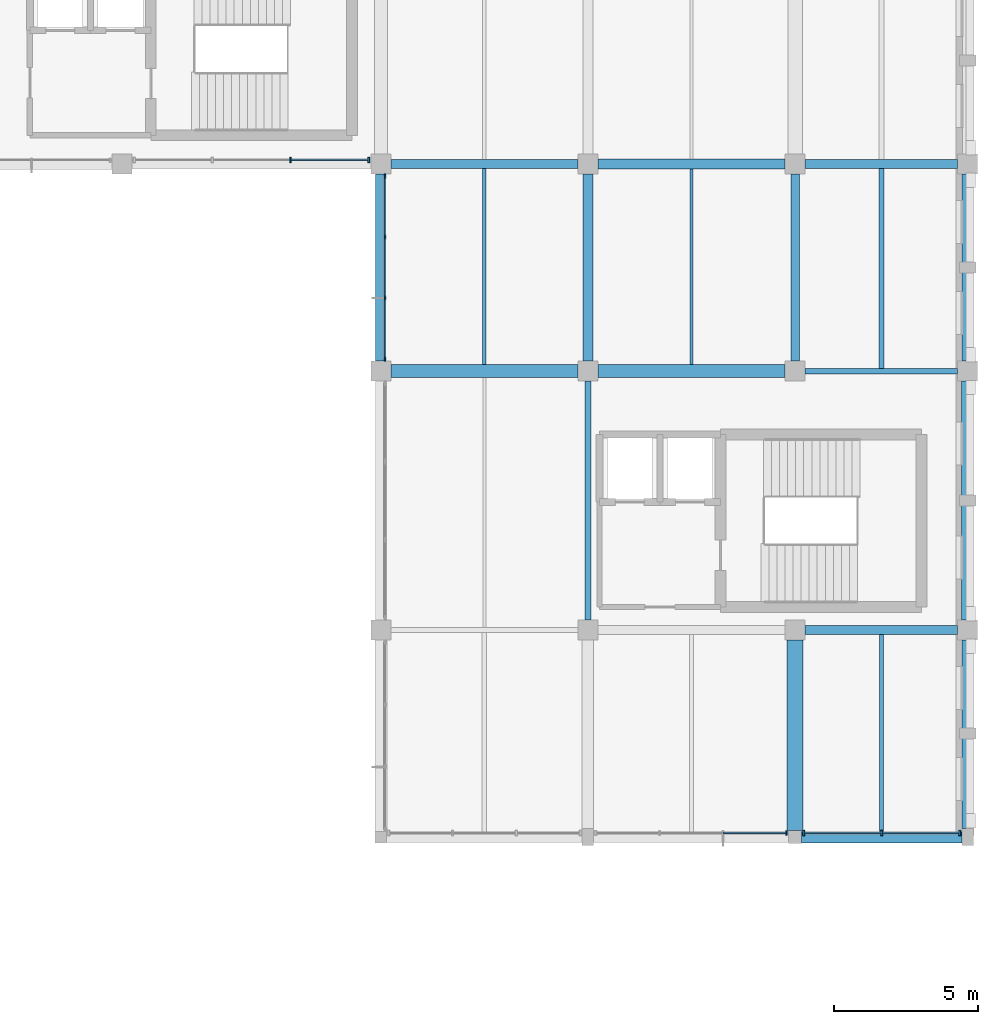
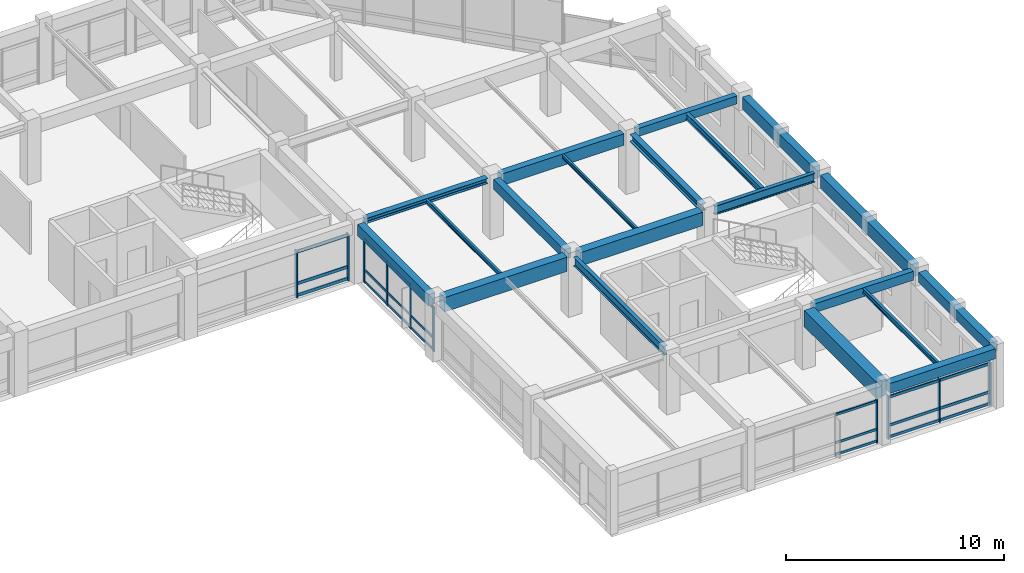
# One storey, part 28 of 52: 31 members, 20 beams, 4 elements without a shape of their own.
"""IFC4 building model written with IfcOpenShell, lengths in metres."""

from ifc_helpers import new_model, si_unit, direction, frame, origin, origin_2d, place, context, subcontext, project, spatial, rectangle, i_section, extrude, material, material_profile, profile_set, type_object, element, aggregate, save


model = new_model("IFC4")

# Units and contexts
model_context = context("Model", 3, precision=1e-05, world=origin(), true_north=direction((0.0, 1.0)))
body_context = subcontext(model_context, "Body", "Model", "MODEL_VIEW")
ifc_project = project(units=[si_unit("LENGTHUNIT", "METRE"), si_unit("AREAUNIT", "SQUARE_METRE"), si_unit("VOLUMEUNIT", "CUBIC_METRE"), si_unit("PLANEANGLEUNIT", "RADIAN"), si_unit("MASSUNIT", "GRAM", prefix="KILO")], contexts=[model_context])

# Site, building, storey
site_placement = place(None, origin())
site = spatial("IfcSite", under=ifc_project, at=site_placement, CompositionType="ELEMENT")
building_placement = place(site_placement, origin())
building = spatial("IfcBuilding", under=site, at=building_placement, Name="Clarverna Civic Hall", CompositionType="ELEMENT")
storey_placement = place(building_placement, frame((0.0, 0.0, 16.800048828125)))
storey = spatial("IfcBuildingStorey", under=building, at=storey_placement, Name="L04", CompositionType="ELEMENT", Elevation=16.800048828125)

# Beams
ifc_material_1 = material(Name="Concrete C35/45", Category="concrete")
ifc_material_profile_1 = material_profile(ifc_material_1, rectangle(XDim=0.300048828125, YDim=0.5, at=origin_2d()), Name="RC 300x500")
ifc_profile_set_1 = profile_set([ifc_material_profile_1], Name="Concrete C35/45")
beam_type_1 = type_object("IfcBeamType", Name="B-RC12", PredefinedType="BEAM", material=ifc_profile_set_1)
beam_1_placement = place(storey_placement, frame((162.35009765625, 78.800048828125, 3.070068359375), z_axis=(1.0, 0.0, 0.0), x_axis=(0.0, 1.0, 0.0)))
element("IfcBeam", 1, at=beam_1_placement, inside=storey, type_object=beam_type_1, Name="B-RC12-047", PredefinedType="BEAM", context=body_context, shape_type="SweptSolid", body=[
    extrude(rectangle(XDim=0.300048828125, YDim=0.5, at=origin_2d()), origin(), (0.0, 0.0, 1.0), 5.2998046875),
])
ifc_material_profile_2 = material_profile(ifc_material_1, rectangle(XDim=0.550048828125, YDim=0.89990234375, at=origin_2d()), Name="RC 550x900")
ifc_profile_set_2 = profile_set([ifc_material_profile_2], Name="Concrete C35/45")
beam_type_2 = type_object("IfcBeamType", Name="B-RC13", PredefinedType="BEAM", material=ifc_profile_set_2)
beam_2_placement = place(storey_placement, frame((162.0, 71.824951171875, 2.869873046875), z_axis=(0.0, 1.0, 0.0), x_axis=(-1.0, 0.0, 0.0)))
element("IfcBeam", 2, at=beam_2_placement, inside=storey, type_object=beam_type_2, Name="B-RC13-033", PredefinedType="BEAM", context=body_context, shape_type="SweptSolid", body=[
    extrude(rectangle(XDim=0.550048828125, YDim=0.89990234375, at=origin_2d()), origin(), (0.0, 0.0, 1.0), 6.625),
])
ifc_material_profile_3 = material_profile(ifc_material_1, rectangle(XDim=0.35009765625, YDim=0.64990234375, at=origin_2d()), Name="RC 350x650")
ifc_profile_set_3 = profile_set([ifc_material_profile_3], Name="Concrete C35/45")
beam_type_3 = type_object("IfcBeamType", Name="B-RC17", PredefinedType="BEAM", material=ifc_profile_set_3)
beam_3_placement = place(storey_placement, frame((155.14990234375, 95.0, 2.994873046875), z_axis=(1.0, 0.0, 0.0), x_axis=(0.0, 1.0, 0.0)))
element("IfcBeam", 3, at=beam_3_placement, inside=storey, type_object=beam_type_3, Name="B-RC17-034", PredefinedType="BEAM", context=body_context, shape_type="SweptSolid", body=[
    extrude(rectangle(XDim=0.35009765625, YDim=0.64990234375, at=origin_2d()), origin(), (0.0, 0.0, 1.0), 6.5),
])
ifc_material_profile_4 = material_profile(ifc_material_1, rectangle(XDim=0.300048828125, YDim=0.449951171875, at=origin_2d()), Name="RC 300x450")
ifc_profile_set_4 = profile_set([ifc_material_profile_4], Name="Concrete C35/45")
beam_type_4 = type_object("IfcBeamType", Name="B-RC18", PredefinedType="BEAM", material=ifc_profile_set_4)
beam_4_placement = place(storey_placement, frame((162.35009765625, 95.0, 3.094970703125), z_axis=(1.0, 0.0, 0.0), x_axis=(0.0, 1.0, 0.0)))
element("IfcBeam", 4, at=beam_4_placement, inside=storey, type_object=beam_type_4, Name="B-RC18-041", PredefinedType="BEAM", context=body_context, shape_type="SweptSolid", body=[
    extrude(rectangle(XDim=0.300048828125, YDim=0.449951171875, at=origin_2d()), origin(), (0.0, 0.0, 1.0), 5.2998046875),
])
ifc_material_profile_5 = material_profile(ifc_material_1, rectangle(XDim=0.449951171875, YDim=0.800048828125, at=origin_2d()), Name="RC 450x800")
ifc_profile_set_5 = profile_set([ifc_material_profile_5], Name="Concrete C35/45")
beam_type_5 = type_object("IfcBeamType", Name="B-RC2", PredefinedType="BEAM", material=ifc_profile_set_5)
beam_5_placement = place(storey_placement, frame((147.949951171875, 87.800048828125, 2.919921875), z_axis=(1.0, 0.0, 0.0), x_axis=(0.0, 1.0, 0.0)))
element("IfcBeam", 5, at=beam_5_placement, inside=storey, type_object=beam_type_5, Name="B-RC2-028", PredefinedType="BEAM", context=body_context, shape_type="SweptSolid", body=[
    extrude(rectangle(XDim=0.449951171875, YDim=0.800048828125, at=origin_2d()), origin(), (0.0, 0.0, 1.0), 6.5),
])
ifc_material_profile_6 = material_profile(ifc_material_1, rectangle(XDim=0.449951171875, YDim=0.75, at=origin_2d()), Name="RC 450x750")
ifc_profile_set_6 = profile_set([ifc_material_profile_6], Name="Concrete C35/45")
beam_type_6 = type_object("IfcBeamType", Name="B-RC3", PredefinedType="BEAM", material=ifc_profile_set_6)
beam_6_placement = place(storey_placement, frame((155.14990234375, 87.800048828125, 2.945068359375), z_axis=(1.0, 0.0, 0.0), x_axis=(0.0, 1.0, 0.0)))
element("IfcBeam", 6, at=beam_6_placement, inside=storey, type_object=beam_type_6, Name="B-RC3-038", PredefinedType="BEAM", context=body_context, shape_type="SweptSolid", body=[
    extrude(rectangle(XDim=0.449951171875, YDim=0.75, at=origin_2d()), origin(), (0.0, 0.0, 1.0), 6.5),
])
ifc_material_profile_7 = material_profile(ifc_material_1, rectangle(XDim=0.35009765625, YDim=0.550048828125, at=origin_2d()), Name="RC 350x550")
ifc_profile_set_7 = profile_set([ifc_material_profile_7], Name="Concrete C35/45")
beam_type_7 = type_object("IfcBeamType", Name="B-RC9", PredefinedType="BEAM", material=ifc_profile_set_7)
beam_7_placement = place(storey_placement, frame((154.800048828125, 88.14990234375, 3.044921875), z_axis=(0.0, 1.0, 0.0), x_axis=(-1.0, 0.0, 0.0)))
element("IfcBeam", 7, at=beam_7_placement, inside=storey, type_object=beam_type_7, Name="B-RC9-045", PredefinedType="BEAM", context=body_context, shape_type="SweptSolid", body=[
    extrude(rectangle(XDim=0.35009765625, YDim=0.550048828125, at=origin_2d()), origin(), (0.0, 0.0, 1.0), 6.5),
])
ifc_material_profile_8 = material_profile(ifc_material_1, rectangle(XDim=0.419921875, YDim=0.719970703125, at=origin_2d()), Name="RC 420x720")
ifc_profile_set_8 = profile_set([ifc_material_profile_8], Name="Concrete C35/45")
beam_type_8 = type_object("IfcBeamType", Name="B-SP1", PredefinedType="SPANDREL", material=ifc_profile_set_8)
beam_8_placement = place(storey_placement, frame((168.0, 79.14990234375, 2.9599609375), z_axis=(0.0, 1.0, 0.0), x_axis=(-1.0, 0.0, 0.0)))
element("IfcBeam", 8, at=beam_8_placement, inside=storey, type_object=beam_type_8, Name="B-SP1-142", PredefinedType="SPANDREL", context=body_context, shape_type="SweptSolid", body=[
    extrude(rectangle(XDim=0.419921875, YDim=0.719970703125, at=origin_2d()), origin(), (0.0, 0.0, 1.0), 8.300048828125),
])
ifc_material_profile_9 = material_profile(ifc_material_1, rectangle(XDim=0.3798828125, YDim=0.679931640625, at=origin_2d()), Name="RC 380x680")
ifc_profile_set_9 = profile_set([ifc_material_profile_9], Name="Concrete C35/45")
beam_type_9 = type_object("IfcBeamType", Name="B-SP2", PredefinedType="SPANDREL", material=ifc_profile_set_9)
beam_9_placement = place(storey_placement, frame((168.0, 88.14990234375, 2.97998046875), z_axis=(0.0, 1.0, 0.0), x_axis=(-1.0, 0.0, 0.0)))
element("IfcBeam", 9, at=beam_9_placement, inside=storey, type_object=beam_type_9, Name="B-SP2-149", PredefinedType="SPANDREL", context=body_context, shape_type="SweptSolid", body=[
    extrude(rectangle(XDim=0.3798828125, YDim=0.679931640625, at=origin_2d()), origin(), (0.0, 0.0, 1.0), 6.5),
])
ifc_material_profile_10 = material_profile(ifc_material_1, rectangle(XDim=0.360107421875, YDim=0.6201171875, at=origin_2d()), Name="RC 360x620")
ifc_profile_set_10 = profile_set([ifc_material_profile_10], Name="Concrete C35/45")
beam_type_10 = type_object("IfcBeamType", Name="B-SP3", PredefinedType="SPANDREL", material=ifc_profile_set_10)
beam_10_placement = place(storey_placement, frame((147.60009765625, 88.14990234375, 3.010009765625), z_axis=(0.0, 1.0, 0.0), x_axis=(-1.0, 0.0, 0.0)))
element("IfcBeam", 10, at=beam_10_placement, inside=storey, type_object=beam_type_10, Name="B-SP3-147", PredefinedType="SPANDREL", context=body_context, shape_type="SweptSolid", body=[
    extrude(rectangle(XDim=0.360107421875, YDim=0.6201171875, at=origin_2d()), origin(), (0.0, 0.0, 1.0), 6.5),
])
ifc_material_profile_11 = material_profile(ifc_material_1, rectangle(XDim=0.39990234375, YDim=0.56005859375, at=origin_2d()), Name="RC 400x560")
ifc_profile_set_11 = profile_set([ifc_material_profile_11], Name="Concrete C35/45")
beam_type_11 = type_object("IfcBeamType", Name="B-SP4", PredefinedType="SPANDREL", material=ifc_profile_set_11)
beam_11_placement = place(storey_placement, frame((162.22509765625, 71.60009765625, 3.0400390625), z_axis=(1.0, 0.0, 0.0), x_axis=(0.0, 1.0, 0.0)))
element("IfcBeam", 11, at=beam_11_placement, inside=storey, type_object=beam_type_11, Name="B-SP4-130", PredefinedType="SPANDREL", context=body_context, shape_type="SweptSolid", body=[
    extrude(rectangle(XDim=0.39990234375, YDim=0.56005859375, at=origin_2d()), origin(), (0.0, 0.0, 1.0), 5.574951171875),
])
beam_12_placement = place(storey_placement, frame((168.0, 71.89990234375, 3.0400390625), z_axis=(0.0, 1.0, 0.0), x_axis=(-1.0, 0.0, 0.0)))
element("IfcBeam", 12, at=beam_12_placement, inside=storey, type_object=beam_type_11, Name="B-SP4-147", PredefinedType="SPANDREL", context=body_context, shape_type="SweptSolid", body=[
    extrude(rectangle(XDim=0.39990234375, YDim=0.56005859375, at=origin_2d()), origin(), (0.0, 0.0, 1.0), 6.550048828125),
])
ifc_material_2 = material(Name="Steel S355", Category="steel")
ifc_material_profile_12 = material_profile(ifc_material_2, i_section(OverallWidth=0.300048828125, OverallDepth=0.2900390625, WebThickness=0.008544921875, FlangeThickness=0.013916015625, FilletRadius=0.027099609375, at=origin_2d()), Name="HEA 300")
ifc_profile_set_12 = profile_set([ifc_material_profile_12], Name="Steel S355")
beam_type_12 = type_object("IfcBeamType", Name="B-ST10", PredefinedType="BEAM", material=ifc_profile_set_12)
beam_13_placement = place(storey_placement, frame((147.949951171875, 95.0, 3.175048828125), z_axis=(1.0, 0.0, 0.0), x_axis=(0.0, 1.0, 0.0)))
element("IfcBeam", 13, at=beam_13_placement, inside=storey, type_object=beam_type_12, Name="B-ST10-016", PredefinedType="BEAM", context=body_context, shape_type="SweptSolid", body=[
    extrude(i_section(OverallWidth=0.300048828125, OverallDepth=0.2900390625, WebThickness=0.008544921875, FlangeThickness=0.013916015625, FilletRadius=0.027099609375, at=origin_2d()), origin(), (0.0, 0.0, 1.0), 6.5),
])
ifc_material_profile_13 = material_profile(ifc_material_2, i_section(OverallWidth=0.199951171875, OverallDepth=0.5, WebThickness=0.01025390625, FlangeThickness=0.01611328125, FilletRadius=0.02099609375, at=origin_2d()), Name="IPE 500")
ifc_profile_set_13 = profile_set([ifc_material_profile_13], Name="Steel S355")
beam_type_13 = type_object("IfcBeamType", Name="B-ST12", PredefinedType="BEAM", material=ifc_profile_set_13)
beam_14_placement = place(storey_placement, frame((162.35009765625, 87.800048828125, 3.070068359375), z_axis=(1.0, 0.0, 0.0), x_axis=(0.0, 1.0, 0.0)))
element("IfcBeam", 14, at=beam_14_placement, inside=storey, type_object=beam_type_13, Name="B-ST12-018", PredefinedType="BEAM", context=body_context, shape_type="SweptSolid", body=[
    extrude(i_section(OverallWidth=0.199951171875, OverallDepth=0.5, WebThickness=0.01025390625, FlangeThickness=0.01611328125, FilletRadius=0.02099609375, at=origin_2d()), origin(), (0.0, 0.0, 1.0), 5.2998046875),
])
beam_15_placement = place(storey_placement, frame((154.800048828125, 79.14990234375, 3.070068359375), z_axis=(0.0, 1.0, 0.0), x_axis=(-1.0, 0.0, 0.0)))
element("IfcBeam", 15, at=beam_15_placement, inside=storey, type_object=beam_type_13, Name="B-ST12-020", PredefinedType="BEAM", context=body_context, shape_type="SweptSolid", body=[
    extrude(i_section(OverallWidth=0.199951171875, OverallDepth=0.5, WebThickness=0.01025390625, FlangeThickness=0.01611328125, FilletRadius=0.02099609375, at=origin_2d()), origin(), (0.0, 0.0, 1.0), 8.300048828125),
])
ifc_material_profile_14 = material_profile(ifc_material_2, i_section(OverallWidth=0.300048828125, OverallDepth=0.39990234375, WebThickness=0.013427734375, FlangeThickness=0.02392578125, FilletRadius=0.027099609375, at=origin_2d()), Name="HEB 400")
ifc_profile_set_14 = profile_set([ifc_material_profile_14], Name="Steel S355")
beam_type_14 = type_object("IfcBeamType", Name="B-ST4", PredefinedType="BEAM", material=ifc_profile_set_14)
beam_16_placement = place(storey_placement, frame((162.0, 88.14990234375, 3.119873046875), z_axis=(0.0, 1.0, 0.0), x_axis=(-1.0, 0.0, 0.0)))
element("IfcBeam", 16, at=beam_16_placement, inside=storey, type_object=beam_type_14, Name="B-ST4-019", PredefinedType="BEAM", context=body_context, shape_type="SweptSolid", body=[
    extrude(i_section(OverallWidth=0.300048828125, OverallDepth=0.39990234375, WebThickness=0.013427734375, FlangeThickness=0.02392578125, FilletRadius=0.027099609375, at=origin_2d()), origin(), (0.0, 0.0, 1.0), 6.5),
])

# Curtain wall, members
ifc_material_3 = material(Name="Anodised Bronze Architectural Aluminium", Category="aluminium")
curtain_wall_type = type_object("IfcCurtainWallType", Name="CW-01", PredefinedType="USERDEFINED", material=ifc_material_3)
curtain_wall_1_placement = place(storey_placement, origin())
curtain_wall_1 = element("IfcCurtainWall", 17, at=curtain_wall_1_placement, inside=storey, type_object=curtain_wall_type, Name="CW-01-091", ObjectType="UNITISED CURTAIN WALL", PredefinedType="USERDEFINED")
ifc_material_profile_15 = material_profile(ifc_material_3, rectangle(XDim=0.06005859375, YDim=0.179931640625, at=origin_2d()), Name="BRONZE 60x180")
ifc_profile_set_15 = profile_set([ifc_material_profile_15], Name="Anodised Bronze Architectural Aluminium")
member_type_1 = type_object("IfcMemberType", Name="CWM-01", PredefinedType="MULLION", material=ifc_profile_set_15)
member_1_placement = place(storey_placement, frame((167.72705078125, 71.739990234375, 0.0), z_axis=(0.0, 0.0, 1.0), x_axis=(1.0, 0.0, 0.0)))
member_1 = element("IfcMember", 18, at=member_1_placement, type_object=member_type_1, Name="CWM-01-167", PredefinedType="MULLION", context=body_context, shape_type="SweptSolid", body=[
    extrude(rectangle(XDim=0.06005859375, YDim=0.179931640625, at=origin_2d()), origin(), (0.0, 0.0, 1.0), 2.419921875),
])
member_2_placement = place(storey_placement, frame((165.012451171875, 71.739990234375, 0.0), z_axis=(0.0, 0.0, 1.0), x_axis=(1.0, 0.0, 0.0)))
member_2 = element("IfcMember", 19, at=member_2_placement, type_object=member_type_1, Name="CWM-01-168", PredefinedType="MULLION", context=body_context, shape_type="SweptSolid", body=[
    extrude(rectangle(XDim=0.06005859375, YDim=0.179931640625, at=origin_2d()), origin(), (0.0, 0.0, 1.0), 2.419921875),
])
member_3_placement = place(storey_placement, frame((162.298095703125, 71.739990234375, 0.0), z_axis=(0.0, 0.0, 1.0), x_axis=(1.0, 0.0, 0.0)))
member_3 = element("IfcMember", 20, at=member_3_placement, type_object=member_type_1, Name="CWM-01-169", PredefinedType="MULLION", context=body_context, shape_type="SweptSolid", body=[
    extrude(rectangle(XDim=0.06005859375, YDim=0.179931640625, at=origin_2d()), origin(), (0.0, 0.0, 1.0), 2.419921875),
])

# Curtain wall, member
curtain_wall_2_placement = place(storey_placement, origin())
curtain_wall_2 = element("IfcCurtainWall", 21, at=curtain_wall_2_placement, inside=storey, type_object=curtain_wall_type, Name="CW-01-092", ObjectType="UNITISED CURTAIN WALL", PredefinedType="USERDEFINED")
ifc_material_profile_16 = material_profile(ifc_material_3, rectangle(XDim=0.06005859375, YDim=0.159912109375, at=origin_2d()), Name="BRONZE 60x160")
ifc_profile_set_16 = profile_set([ifc_material_profile_16], Name="Anodised Bronze Architectural Aluminium")
member_type_2 = type_object("IfcMemberType", Name="CWM-02", PredefinedType="MULLION", material=ifc_profile_set_16)
member_4_placement = place(storey_placement, frame((161.701904296875, 71.739990234375, 0.0), z_axis=(0.0, 0.0, 1.0), x_axis=(1.0, 0.0, 0.0)))
member_4 = element("IfcMember", 22, at=member_4_placement, type_object=member_type_2, Name="CWM-02-195", PredefinedType="MULLION", context=body_context, shape_type="SweptSolid", body=[
    extrude(rectangle(XDim=0.06005859375, YDim=0.159912109375, at=origin_2d()), origin(), (0.0, 0.0, 1.0), 2.419921875),
])

# Curtain wall, members
curtain_wall_3_placement = place(storey_placement, origin())
curtain_wall_3 = element("IfcCurtainWall", 23, at=curtain_wall_3_placement, inside=storey, type_object=curtain_wall_type, Name="CW-01-096", ObjectType="UNITISED CURTAIN WALL", PredefinedType="USERDEFINED")
member_5_placement = place(storey_placement, frame((147.739990234375, 88.222900390625, 0.0), z_axis=(0.0, 0.0, 1.0), x_axis=(1.0, 0.0, 0.0)))
member_5 = element("IfcMember", 24, at=member_5_placement, type_object=member_type_2, Name="CWM-02-199", PredefinedType="MULLION", context=body_context, shape_type="SweptSolid", body=[
    extrude(rectangle(XDim=0.06005859375, YDim=0.159912109375, at=origin_2d()), origin(), (0.0, 0.0, 1.0), 2.52001953125),
])
member_6_placement = place(storey_placement, frame((147.739990234375, 90.341064453125, 0.0), z_axis=(0.0, 0.0, 1.0), x_axis=(1.0, 0.0, 0.0)))
member_6 = element("IfcMember", 25, at=member_6_placement, type_object=member_type_2, Name="CWM-02-200", PredefinedType="MULLION", context=body_context, shape_type="SweptSolid", body=[
    extrude(rectangle(XDim=0.06005859375, YDim=0.159912109375, at=origin_2d()), origin(), (0.0, 0.0, 1.0), 2.52001953125),
])
member_7_placement = place(storey_placement, frame((147.739990234375, 92.458984375, 0.0), z_axis=(0.0, 0.0, 1.0), x_axis=(1.0, 0.0, 0.0)))
member_7 = element("IfcMember", 26, at=member_7_placement, type_object=member_type_2, Name="CWM-02-201", PredefinedType="MULLION", context=body_context, shape_type="SweptSolid", body=[
    extrude(rectangle(XDim=0.06005859375, YDim=0.159912109375, at=origin_2d()), origin(), (0.0, 0.0, 1.0), 2.52001953125),
])
member_8_placement = place(storey_placement, frame((147.739990234375, 94.576904296875, 0.0), z_axis=(0.0, 0.0, 1.0), x_axis=(1.0, 0.0, 0.0)))
member_8 = element("IfcMember", 27, at=member_8_placement, type_object=member_type_2, Name="CWM-02-202", PredefinedType="MULLION", context=body_context, shape_type="SweptSolid", body=[
    extrude(rectangle(XDim=0.06005859375, YDim=0.159912109375, at=origin_2d()), origin(), (0.0, 0.0, 1.0), 2.52001953125),
])

curtain_wall_4_placement = place(storey_placement, origin())
curtain_wall_4 = element("IfcCurtainWall", 28, at=curtain_wall_4_placement, inside=storey, type_object=curtain_wall_type, Name="CW-01-097", ObjectType="UNITISED CURTAIN WALL", PredefinedType="USERDEFINED")
ifc_material_profile_17 = material_profile(ifc_material_3, rectangle(XDim=0.06494140625, YDim=0.199951171875, at=origin_2d()), Name="BRONZE 65x200")
ifc_profile_set_17 = profile_set([ifc_material_profile_17], Name="Anodised Bronze Architectural Aluminium")
member_type_3 = type_object("IfcMemberType", Name="CWM-03", PredefinedType="MULLION", material=ifc_profile_set_17)
member_9_placement = place(storey_placement, frame((147.177001953125, 95.139892578125, 0.0), z_axis=(0.0, 0.0, 1.0), x_axis=(1.0, 0.0, 0.0)))
member_9 = element("IfcMember", 29, at=member_9_placement, type_object=member_type_3, Name="CWM-03-176", PredefinedType="MULLION", context=body_context, shape_type="SweptSolid", body=[
    extrude(rectangle(XDim=0.06494140625, YDim=0.199951171875, at=origin_2d()), origin(), (0.0, 0.0, 1.0), 2.619873046875),
])
member_10_placement = place(storey_placement, frame((144.458984375, 95.139892578125, 0.0), z_axis=(0.0, 0.0, 1.0), x_axis=(1.0, 0.0, 0.0)))
member_10 = element("IfcMember", 30, at=member_10_placement, type_object=member_type_3, Name="CWM-03-177", PredefinedType="MULLION", context=body_context, shape_type="SweptSolid", body=[
    extrude(rectangle(XDim=0.06494140625, YDim=0.199951171875, at=origin_2d()), origin(), (0.0, 0.0, 1.0), 2.619873046875),
])

# Member
ifc_material_profile_18 = material_profile(ifc_material_3, rectangle(XDim=0.06005859375, YDim=0.14990234375, at=origin_2d()), Name="BRONZE 60x150")
ifc_profile_set_18 = profile_set([ifc_material_profile_18], Name="Anodised Bronze Architectural Aluminium")
member_type_4 = type_object("IfcMemberType", Name="CWT-01", PredefinedType="USERDEFINED", material=ifc_profile_set_18)
member_11_placement = place(storey_placement, frame((167.7119140625, 71.739990234375, 0.094970703125), z_axis=(-1.0, 0.0, 0.0), x_axis=(0.0, -1.0, 0.0)))
member_11 = element("IfcMember", 31, at=member_11_placement, type_object=member_type_4, Name="CWT-01-355", ObjectType="TRANSOM", PredefinedType="USERDEFINED", context=body_context, shape_type="SweptSolid", body=[
    extrude(rectangle(XDim=0.06005859375, YDim=0.14990234375, at=origin_2d()), origin(), (0.0, 0.0, 1.0), 2.684326171875),
])

member_12_placement = place(storey_placement, frame((167.7119140625, 71.739990234375, 0.75), z_axis=(-1.0, 0.0, 0.0), x_axis=(0.0, -1.0, 0.0)))
member_12 = element("IfcMember", 32, at=member_12_placement, type_object=member_type_4, Name="CWT-01-356", ObjectType="TRANSOM", PredefinedType="USERDEFINED", context=body_context, shape_type="SweptSolid", body=[
    extrude(rectangle(XDim=0.06005859375, YDim=0.14990234375, at=origin_2d()), origin(), (0.0, 0.0, 1.0), 2.684326171875),
])

member_13_placement = place(storey_placement, frame((167.7119140625, 71.739990234375, 2.324951171875), z_axis=(-1.0, 0.0, 0.0), x_axis=(0.0, -1.0, 0.0)))
member_13 = element("IfcMember", 33, at=member_13_placement, type_object=member_type_4, Name="CWT-01-357", ObjectType="TRANSOM", PredefinedType="USERDEFINED", context=body_context, shape_type="SweptSolid", body=[
    extrude(rectangle(XDim=0.06005859375, YDim=0.14990234375, at=origin_2d()), origin(), (0.0, 0.0, 1.0), 2.684326171875),
])

member_14_placement = place(storey_placement, frame((164.99755859375, 71.739990234375, 0.094970703125), z_axis=(-1.0, 0.0, 0.0), x_axis=(0.0, -1.0, 0.0)))
member_14 = element("IfcMember", 34, at=member_14_placement, type_object=member_type_4, Name="CWT-01-358", ObjectType="TRANSOM", PredefinedType="USERDEFINED", context=body_context, shape_type="SweptSolid", body=[
    extrude(rectangle(XDim=0.06005859375, YDim=0.14990234375, at=origin_2d()), origin(), (0.0, 0.0, 1.0), 2.6845703125),
])

member_15_placement = place(storey_placement, frame((164.99755859375, 71.739990234375, 0.75), z_axis=(-1.0, 0.0, 0.0), x_axis=(0.0, -1.0, 0.0)))
member_15 = element("IfcMember", 35, at=member_15_placement, type_object=member_type_4, Name="CWT-01-359", ObjectType="TRANSOM", PredefinedType="USERDEFINED", context=body_context, shape_type="SweptSolid", body=[
    extrude(rectangle(XDim=0.06005859375, YDim=0.14990234375, at=origin_2d()), origin(), (0.0, 0.0, 1.0), 2.6845703125),
])

member_16_placement = place(storey_placement, frame((164.99755859375, 71.739990234375, 2.324951171875), z_axis=(-1.0, 0.0, 0.0), x_axis=(0.0, -1.0, 0.0)))
member_16 = element("IfcMember", 36, at=member_16_placement, type_object=member_type_4, Name="CWT-01-360", ObjectType="TRANSOM", PredefinedType="USERDEFINED", context=body_context, shape_type="SweptSolid", body=[
    extrude(rectangle(XDim=0.06005859375, YDim=0.14990234375, at=origin_2d()), origin(), (0.0, 0.0, 1.0), 2.6845703125),
])

aggregate(curtain_wall_1, [member_1, member_2, member_3, member_11, member_12, member_13, member_14, member_15, member_16])

ifc_material_profile_19 = material_profile(ifc_material_3, rectangle(XDim=0.06005859375, YDim=0.1298828125, at=origin_2d()), Name="BRONZE 60x130")
ifc_profile_set_19 = profile_set([ifc_material_profile_19], Name="Anodised Bronze Architectural Aluminium")
member_type_5 = type_object("IfcMemberType", Name="CWT-02", PredefinedType="USERDEFINED", material=ifc_profile_set_19)
member_17_placement = place(storey_placement, frame((161.68701171875, 71.739990234375, 0.094970703125), z_axis=(-1.0, 0.0, 0.0), x_axis=(0.0, -1.0, 0.0)))
member_17 = element("IfcMember", 37, at=member_17_placement, type_object=member_type_5, Name="CWT-02-412", ObjectType="TRANSOM", PredefinedType="USERDEFINED", context=body_context, shape_type="SweptSolid", body=[
    extrude(rectangle(XDim=0.06005859375, YDim=0.1298828125, at=origin_2d()), origin(), (0.0, 0.0, 1.0), 2.1796875),
])

member_18_placement = place(storey_placement, frame((161.68701171875, 71.739990234375, 0.75), z_axis=(-1.0, 0.0, 0.0), x_axis=(0.0, -1.0, 0.0)))
member_18 = element("IfcMember", 38, at=member_18_placement, type_object=member_type_5, Name="CWT-02-413", ObjectType="TRANSOM", PredefinedType="USERDEFINED", context=body_context, shape_type="SweptSolid", body=[
    extrude(rectangle(XDim=0.06005859375, YDim=0.1298828125, at=origin_2d()), origin(), (0.0, 0.0, 1.0), 2.1796875),
])

member_19_placement = place(storey_placement, frame((161.68701171875, 71.739990234375, 2.324951171875), z_axis=(-1.0, 0.0, 0.0), x_axis=(0.0, -1.0, 0.0)))
member_19 = element("IfcMember", 39, at=member_19_placement, type_object=member_type_5, Name="CWT-02-414", ObjectType="TRANSOM", PredefinedType="USERDEFINED", context=body_context, shape_type="SweptSolid", body=[
    extrude(rectangle(XDim=0.06005859375, YDim=0.1298828125, at=origin_2d()), origin(), (0.0, 0.0, 1.0), 2.1796875),
])

aggregate(curtain_wall_2, [member_4, member_17, member_18, member_19])

member_20_placement = place(storey_placement, frame((147.739990234375, 88.238037109375, 0.094970703125), z_axis=(0.0, 1.0, 0.0), x_axis=(-1.0, 0.0, 0.0)))
member_20 = element("IfcMember", 40, at=member_20_placement, type_object=member_type_5, Name="CWT-02-421", ObjectType="TRANSOM", PredefinedType="USERDEFINED", context=body_context, shape_type="SweptSolid", body=[
    extrude(rectangle(XDim=0.06005859375, YDim=0.1298828125, at=origin_2d()), origin(), (0.0, 0.0, 1.0), 2.087890625),
])

member_21_placement = place(storey_placement, frame((147.739990234375, 88.238037109375, 0.75), z_axis=(0.0, 1.0, 0.0), x_axis=(-1.0, 0.0, 0.0)))
member_21 = element("IfcMember", 41, at=member_21_placement, type_object=member_type_5, Name="CWT-02-422", ObjectType="TRANSOM", PredefinedType="USERDEFINED", context=body_context, shape_type="SweptSolid", body=[
    extrude(rectangle(XDim=0.06005859375, YDim=0.1298828125, at=origin_2d()), origin(), (0.0, 0.0, 1.0), 2.087890625),
])

member_22_placement = place(storey_placement, frame((147.739990234375, 88.238037109375, 2.425048828125), z_axis=(0.0, 1.0, 0.0), x_axis=(-1.0, 0.0, 0.0)))
member_22 = element("IfcMember", 42, at=member_22_placement, type_object=member_type_5, Name="CWT-02-423", ObjectType="TRANSOM", PredefinedType="USERDEFINED", context=body_context, shape_type="SweptSolid", body=[
    extrude(rectangle(XDim=0.06005859375, YDim=0.1298828125, at=origin_2d()), origin(), (0.0, 0.0, 1.0), 2.087890625),
])

member_23_placement = place(storey_placement, frame((147.739990234375, 90.35595703125, 0.094970703125), z_axis=(0.0, 1.0, 0.0), x_axis=(-1.0, 0.0, 0.0)))
member_23 = element("IfcMember", 43, at=member_23_placement, type_object=member_type_5, Name="CWT-02-424", ObjectType="TRANSOM", PredefinedType="USERDEFINED", context=body_context, shape_type="SweptSolid", body=[
    extrude(rectangle(XDim=0.06005859375, YDim=0.1298828125, at=origin_2d()), origin(), (0.0, 0.0, 1.0), 2.088134765625),
])

member_24_placement = place(storey_placement, frame((147.739990234375, 90.35595703125, 0.75), z_axis=(0.0, 1.0, 0.0), x_axis=(-1.0, 0.0, 0.0)))
member_24 = element("IfcMember", 44, at=member_24_placement, type_object=member_type_5, Name="CWT-02-425", ObjectType="TRANSOM", PredefinedType="USERDEFINED", context=body_context, shape_type="SweptSolid", body=[
    extrude(rectangle(XDim=0.06005859375, YDim=0.1298828125, at=origin_2d()), origin(), (0.0, 0.0, 1.0), 2.088134765625),
])

member_25_placement = place(storey_placement, frame((147.739990234375, 90.35595703125, 2.425048828125), z_axis=(0.0, 1.0, 0.0), x_axis=(-1.0, 0.0, 0.0)))
member_25 = element("IfcMember", 45, at=member_25_placement, type_object=member_type_5, Name="CWT-02-426", ObjectType="TRANSOM", PredefinedType="USERDEFINED", context=body_context, shape_type="SweptSolid", body=[
    extrude(rectangle(XDim=0.06005859375, YDim=0.1298828125, at=origin_2d()), origin(), (0.0, 0.0, 1.0), 2.088134765625),
])

member_26_placement = place(storey_placement, frame((147.739990234375, 92.47412109375, 0.094970703125), z_axis=(0.0, 1.0, 0.0), x_axis=(-1.0, 0.0, 0.0)))
member_26 = element("IfcMember", 46, at=member_26_placement, type_object=member_type_5, Name="CWT-02-427", ObjectType="TRANSOM", PredefinedType="USERDEFINED", context=body_context, shape_type="SweptSolid", body=[
    extrude(rectangle(XDim=0.06005859375, YDim=0.1298828125, at=origin_2d()), origin(), (0.0, 0.0, 1.0), 2.087890625),
])

member_27_placement = place(storey_placement, frame((147.739990234375, 92.47412109375, 0.75), z_axis=(0.0, 1.0, 0.0), x_axis=(-1.0, 0.0, 0.0)))
member_27 = element("IfcMember", 47, at=member_27_placement, type_object=member_type_5, Name="CWT-02-428", ObjectType="TRANSOM", PredefinedType="USERDEFINED", context=body_context, shape_type="SweptSolid", body=[
    extrude(rectangle(XDim=0.06005859375, YDim=0.1298828125, at=origin_2d()), origin(), (0.0, 0.0, 1.0), 2.087890625),
])

member_28_placement = place(storey_placement, frame((147.739990234375, 92.47412109375, 2.425048828125), z_axis=(0.0, 1.0, 0.0), x_axis=(-1.0, 0.0, 0.0)))
member_28 = element("IfcMember", 48, at=member_28_placement, type_object=member_type_5, Name="CWT-02-429", ObjectType="TRANSOM", PredefinedType="USERDEFINED", context=body_context, shape_type="SweptSolid", body=[
    extrude(rectangle(XDim=0.06005859375, YDim=0.1298828125, at=origin_2d()), origin(), (0.0, 0.0, 1.0), 2.087890625),
])

aggregate(curtain_wall_3, [member_5, member_6, member_7, member_8, member_20, member_21, member_22, member_23, member_24, member_25, member_26, member_27, member_28])

ifc_material_profile_20 = material_profile(ifc_material_3, rectangle(XDim=0.06494140625, YDim=0.169921875, at=origin_2d()), Name="BRONZE 65x170")
ifc_profile_set_20 = profile_set([ifc_material_profile_20], Name="Anodised Bronze Architectural Aluminium")
member_type_6 = type_object("IfcMemberType", Name="CWT-03", PredefinedType="USERDEFINED", material=ifc_profile_set_20)
member_29_placement = place(storey_placement, frame((147.162109375, 95.139892578125, 0.094970703125), z_axis=(-1.0, 0.0, 0.0), x_axis=(0.0, -1.0, 0.0)))
member_29 = element("IfcMember", 49, at=member_29_placement, type_object=member_type_6, Name="CWT-03-373", ObjectType="TRANSOM", PredefinedType="USERDEFINED", context=body_context, shape_type="SweptSolid", body=[
    extrude(rectangle(XDim=0.06494140625, YDim=0.169921875, at=origin_2d()), origin(), (0.0, 0.0, 1.0), 2.68798828125),
])

member_30_placement = place(storey_placement, frame((147.162109375, 95.139892578125, 0.75), z_axis=(-1.0, 0.0, 0.0), x_axis=(0.0, -1.0, 0.0)))
member_30 = element("IfcMember", 50, at=member_30_placement, type_object=member_type_6, Name="CWT-03-374", ObjectType="TRANSOM", PredefinedType="USERDEFINED", context=body_context, shape_type="SweptSolid", body=[
    extrude(rectangle(XDim=0.06494140625, YDim=0.169921875, at=origin_2d()), origin(), (0.0, 0.0, 1.0), 2.68798828125),
])

member_31_placement = place(storey_placement, frame((147.162109375, 95.139892578125, 2.52490234375), z_axis=(-1.0, 0.0, 0.0), x_axis=(0.0, -1.0, 0.0)))
member_31 = element("IfcMember", 51, at=member_31_placement, type_object=member_type_6, Name="CWT-03-375", ObjectType="TRANSOM", PredefinedType="USERDEFINED", context=body_context, shape_type="SweptSolid", body=[
    extrude(rectangle(XDim=0.06494140625, YDim=0.169921875, at=origin_2d()), origin(), (0.0, 0.0, 1.0), 2.68798828125),
])

aggregate(curtain_wall_4, [member_9, member_10, member_29, member_30, member_31])

# Beams
ifc_material_profile_21 = material_profile(ifc_material_2, i_section(OverallWidth=0.169921875, OverallDepth=0.360107421875, WebThickness=0.008056640625, FlangeThickness=0.0126953125, FilletRadius=0.01806640625, at=origin_2d()), Name="IPE 360")
ifc_profile_set_21 = profile_set([ifc_material_profile_21], Name="Steel S355")
beam_type_15 = type_object("IfcBeamType", Name="J-ST1", PredefinedType="JOIST", material=ifc_profile_set_21)
beam_17_placement = place(storey_placement, frame((165.0, 87.89990234375, 3.139892578125), z_axis=(0.0, 1.0, 0.0), x_axis=(-1.0, 0.0, 0.0)))
element("IfcBeam", 52, at=beam_17_placement, inside=storey, type_object=beam_type_15, Name="J-ST1-068", PredefinedType="JOIST", context=body_context, shape_type="SweptSolid", body=[
    extrude(i_section(OverallWidth=0.169921875, OverallDepth=0.360107421875, WebThickness=0.008056640625, FlangeThickness=0.0126953125, FilletRadius=0.01806640625, at=origin_2d()), origin(), (0.0, 0.0, 1.0), 6.9501953125),
])
ifc_material_profile_22 = material_profile(ifc_material_2, i_section(OverallWidth=0.135009765625, OverallDepth=0.27001953125, WebThickness=0.006591796875, FlangeThickness=0.01025390625, FilletRadius=0.014892578125, at=origin_2d()), Name="IPE 270")
ifc_profile_set_22 = profile_set([ifc_material_profile_22], Name="Steel S355")
beam_type_16 = type_object("IfcBeamType", Name="J-ST4", PredefinedType="JOIST", material=ifc_profile_set_22)
beam_18_placement = place(storey_placement, frame((165.0, 71.800048828125, 3.18505859375), z_axis=(0.0, 1.0, 0.0), x_axis=(-1.0, 0.0, 0.0)))
element("IfcBeam", 53, at=beam_18_placement, inside=storey, type_object=beam_type_16, Name="J-ST4-070", PredefinedType="JOIST", context=body_context, shape_type="SweptSolid", body=[
    extrude(i_section(OverallWidth=0.135009765625, OverallDepth=0.27001953125, WebThickness=0.006591796875, FlangeThickness=0.01025390625, FilletRadius=0.014892578125, at=origin_2d()), origin(), (0.0, 0.0, 1.0), 6.849853515625),
])
ifc_material_profile_23 = material_profile(ifc_material_2, i_section(OverallWidth=0.1201171875, OverallDepth=0.239990234375, WebThickness=0.006103515625, FlangeThickness=0.009765625, FilletRadius=0.014892578125, at=origin_2d()), Name="IPE 240")
ifc_profile_set_23 = profile_set([ifc_material_profile_23], Name="Steel S355")
beam_type_17 = type_object("IfcBeamType", Name="J-ST5", PredefinedType="JOIST", material=ifc_profile_set_23)
beam_19_placement = place(storey_placement, frame((151.199951171875, 88.02490234375, 3.199951171875), z_axis=(0.0, 1.0, 0.0), x_axis=(-1.0, 0.0, 0.0)))
element("IfcBeam", 54, at=beam_19_placement, inside=storey, type_object=beam_type_17, Name="J-ST5-068", PredefinedType="JOIST", context=body_context, shape_type="SweptSolid", body=[
    extrude(i_section(OverallWidth=0.1201171875, OverallDepth=0.239990234375, WebThickness=0.006103515625, FlangeThickness=0.009765625, FilletRadius=0.014892578125, at=origin_2d()), origin(), (0.0, 0.0, 1.0), 6.8251953125),
])
ifc_material_profile_24 = material_profile(ifc_material_2, i_section(OverallWidth=0.110107421875, OverallDepth=0.219970703125, WebThickness=0.005859375, FlangeThickness=0.00927734375, FilletRadius=0.011962890625, at=origin_2d()), Name="IPE 220")
ifc_profile_set_24 = profile_set([ifc_material_profile_24], Name="Steel S355")
beam_type_18 = type_object("IfcBeamType", Name="J-ST6", PredefinedType="JOIST", material=ifc_profile_set_24)
beam_20_placement = place(storey_placement, frame((158.39990234375, 88.02490234375, 3.2099609375), z_axis=(0.0, 1.0, 0.0), x_axis=(-1.0, 0.0, 0.0)))
element("IfcBeam", 55, at=beam_20_placement, inside=storey, type_object=beam_type_18, Name="J-ST6-068", PredefinedType="JOIST", context=body_context, shape_type="SweptSolid", body=[
    extrude(i_section(OverallWidth=0.110107421875, OverallDepth=0.219970703125, WebThickness=0.005859375, FlangeThickness=0.00927734375, FilletRadius=0.011962890625, at=origin_2d()), origin(), (0.0, 0.0, 1.0), 6.800048828125),
])

save(model, "model.ifc")
